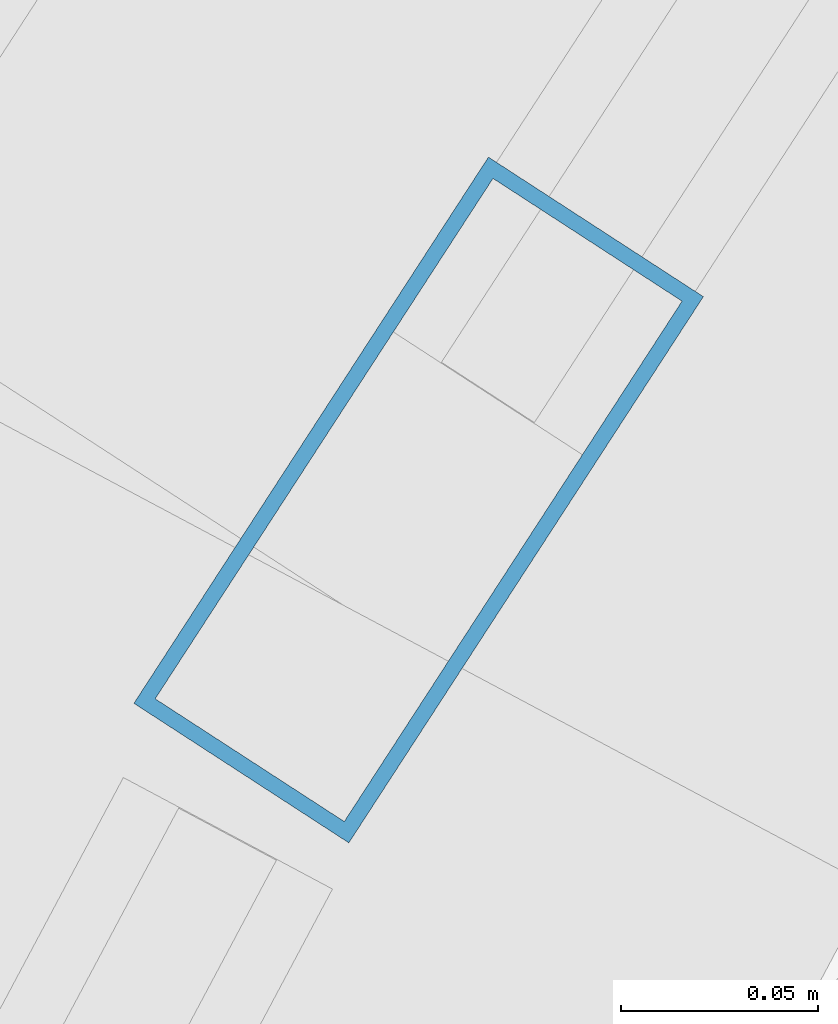
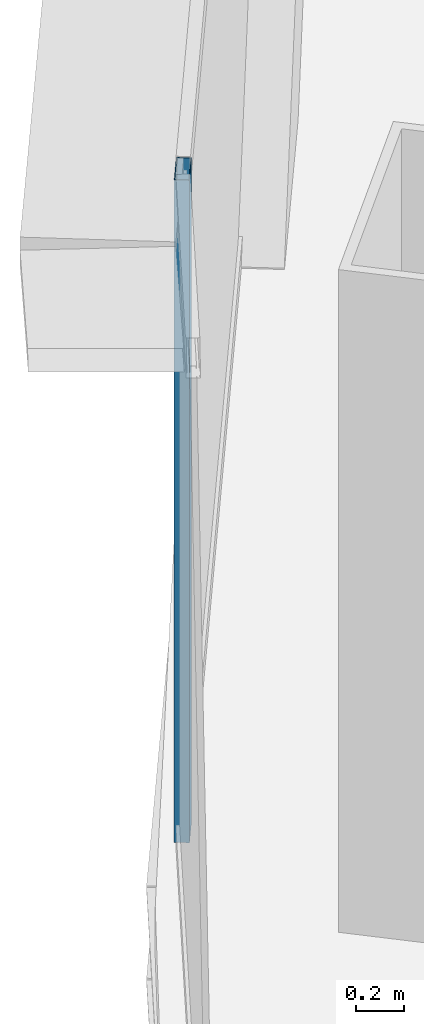
# One storey, part 16 of 37: 1 member, 1 element without a shape of its own.
"""IFC4 building model written with IfcOpenShell, lengths in metres."""

from ifc_helpers import new_model, si_unit, direction, frame, origin, origin_2d, place, context, subcontext, project, spatial, hollow_rectangle, extrude, source, transform, mapped, material, layer, layer_set, material_profile, profile_set, type_object, element, aggregate, save


model = new_model("IFC4")

# Units and contexts
model_context = context("Model", 3, precision=1e-05, world=origin(), true_north=direction((0.0, 1.0)))
body_context = subcontext(model_context, "Body", "Model", "MODEL_VIEW")
ifc_project = project(units=[si_unit("LENGTHUNIT", "METRE"), si_unit("AREAUNIT", "SQUARE_METRE"), si_unit("VOLUMEUNIT", "CUBIC_METRE"), si_unit("PLANEANGLEUNIT", "RADIAN"), si_unit("MASSUNIT", "GRAM", prefix="KILO"), si_unit("THERMODYNAMICTEMPERATUREUNIT", "KELVIN"), si_unit("POWERUNIT", "WATT")], contexts=[model_context])

# Site, building, storey
site_placement = place(None, origin())
site = spatial("IfcSite", under=ifc_project, at=site_placement, CompositionType="ELEMENT")
building_placement = place(site_placement, origin())
building = spatial("IfcBuilding", under=site, at=building_placement, Name="Yunzhuo Pagoda Commons", CompositionType="ELEMENT")
storey_placement = place(building_placement, frame((0.0, 0.0, 52.179931640625)))
storey = spatial("IfcBuildingStorey", under=building, at=storey_placement, Name="L13", CompositionType="ELEMENT", Elevation=52.179931640625)

# Curtain wall, member
ifc_material = material(Name="Anodized aluminium 6063-T6", Category="aluminium")
ifc_layer = layer(ifc_material, 0.1650390625)
ifc_layer_set = layer_set([ifc_layer], Name="Anodized aluminium 6063-T6")
curtain_wall_type = type_object("IfcCurtainWallType", Name="CW-LOW Low-Zone Ribbon Curtain Wall", PredefinedType="NOTDEFINED", material=ifc_layer_set)
curtain_wall_placement = place(storey_placement, origin())
curtain_wall = element("IfcCurtainWall", 1, at=curtain_wall_placement, inside=storey, type_object=curtain_wall_type, Name="L13 curtain wall CW-L13-F3B2", PredefinedType="NOTDEFINED")
ifc_material_profile = material_profile(ifc_material, hollow_rectangle(XDim=0.06494140625, YDim=0.1650390625, WallThickness=0.00390625, at=origin_2d()), Name="Anodized aluminium 6063-T6")
ifc_profile_set = profile_set([ifc_material_profile], Name="Anodized aluminium 6063-T6")
member_type = type_object("IfcMemberType", Name="CW-LOW-M Mullion RHS 165x65x4", PredefinedType="MULLION", material=ifc_profile_set)
shared_shape = source(origin(), body_context, "Body", "SweptSolid", [
    extrude(hollow_rectangle(XDim=0.06494140625, YDim=0.1650390625, WallThickness=0.00390625, at=origin_2d()), origin(), (0.0, 0.0, 1.0), 3.3701171875),
])
member_placement = place(storey_placement, frame((21.379638671875, 57.71240234375, 0.0), z_axis=(0.0, 0.0, 1.0), x_axis=(0.838776712394, -0.544475552018, 0.0)))
member = element("IfcMember", 2, at=member_placement, type_object=member_type, Name="CW mullion 2", PredefinedType="MULLION", context=body_context, shape_type="MappedRepresentation", body=[
    mapped(shared_shape, transform((0.0, 0.0, 0.0), scale=1.0)),
])
aggregate(curtain_wall, [member])

save(model, "model.ifc")
